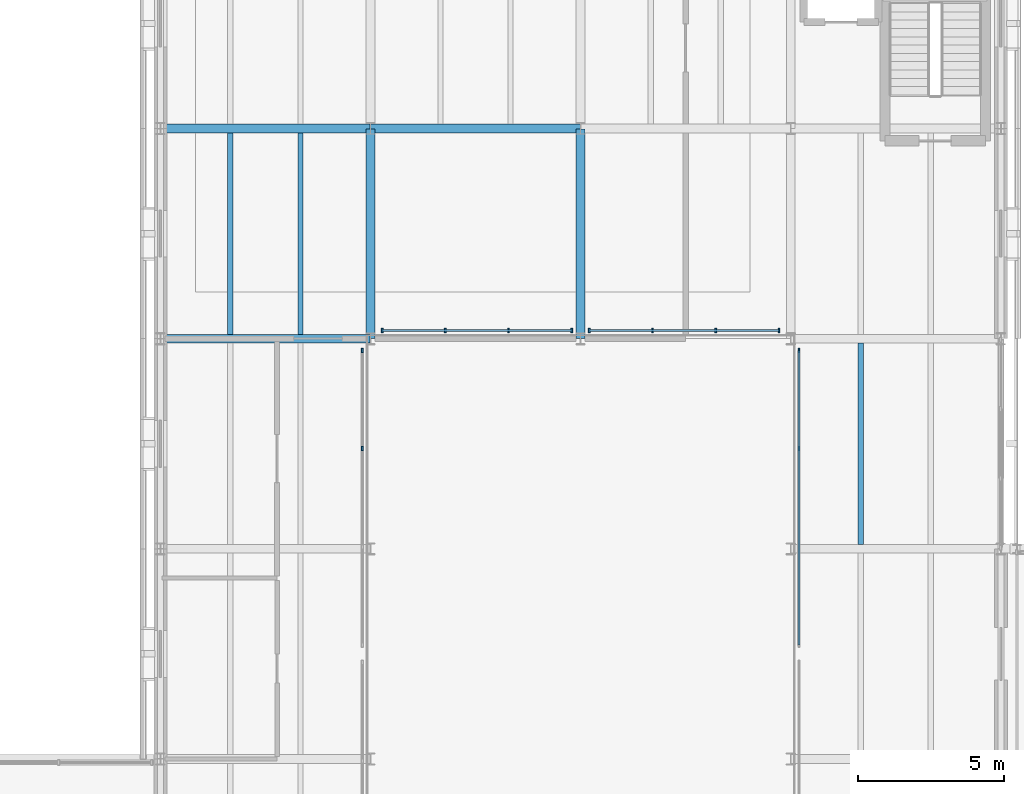
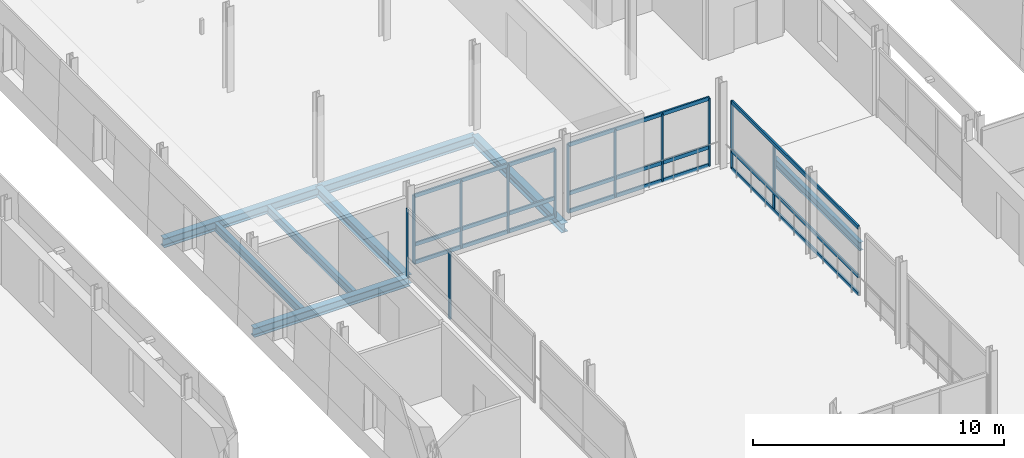
# One storey, part 25 of 115: 21 members, 8 beams, 4 elements without a shape of their own.
"""IFC4 building model written with IfcOpenShell, lengths in metres."""

from ifc_helpers import new_model, si_unit, direction, frame, origin, origin_2d, place, context, subcontext, project, spatial, rectangle, i_section, extrude, material, layer, layer_set, material_profile, profile_set, type_object, element, aggregate, save


model = new_model("IFC4")

# Units and contexts
model_context = context("Model", 3, precision=1e-05, world=origin(), true_north=direction((0.0, 1.0)))
body_context = subcontext(model_context, "Body", "Model", "MODEL_VIEW")
ifc_project = project(units=[si_unit("LENGTHUNIT", "METRE"), si_unit("AREAUNIT", "SQUARE_METRE"), si_unit("VOLUMEUNIT", "CUBIC_METRE"), si_unit("PLANEANGLEUNIT", "RADIAN"), si_unit("MASSUNIT", "GRAM", prefix="KILO")], contexts=[model_context])

# Site, building, storey
site_placement = place(None, origin())
site = spatial("IfcSite", under=ifc_project, at=site_placement, CompositionType="ELEMENT")
building_placement = place(site_placement, origin())
building = spatial("IfcBuilding", under=site, at=building_placement, Name="Narikvali Park Central Library", CompositionType="ELEMENT")
storey_placement = place(building_placement, frame((0.0, 0.0, 10.199951171875)))
storey = spatial("IfcBuildingStorey", under=building, at=storey_placement, Name="L02", CompositionType="ELEMENT", Elevation=10.199951171875)

# Curtain wall, members
ifc_material_1 = material(Name="Anodised Bronze Aluminium", Category="aluminium")
ifc_layer = layer(ifc_material_1, 0.219970703125, Name="Anodised Bronze Aluminium")
ifc_layer_set = layer_set([ifc_layer], Name="Anodised Bronze Aluminium")
curtain_wall_type = type_object("IfcCurtainWallType", Name="Atrium Tall Curtain Wall System", PredefinedType="NOTDEFINED", material=ifc_layer_set)
curtain_wall_1_placement = place(storey_placement, origin())
curtain_wall_1 = element("IfcCurtainWall", 1, at=curtain_wall_1_placement, inside=storey, type_object=curtain_wall_type, Name="Atrium Tall Curtain Wall System CW-INT-V4-L02-E2", PredefinedType="NOTDEFINED")
ifc_material_profile_1 = material_profile(ifc_material_1, rectangle(XDim=0.074951171875, YDim=0.179931640625, at=origin_2d()), Name="CW TRANSOM 75x180")
ifc_profile_set_1 = profile_set([ifc_material_profile_1], Name="Anodised Bronze Aluminium")
member_type_1 = type_object("IfcMemberType", Name="Curtain Wall Heavy Transom 75x180", PredefinedType="USERDEFINED", material=ifc_profile_set_1)
member_1_placement = place(storey_placement, frame((50.679931640625, 75.89990234375, 0.030029296875), z_axis=(0.0, 1.0, 0.0), x_axis=(-1.0, 0.0, 0.0)))
member_1 = element("IfcMember", 2, at=member_1_placement, type_object=member_type_1, Name="CW-INT-V4-L02-E2 Transom 00", ObjectType="TRANSOM", PredefinedType="USERDEFINED", context=body_context, shape_type="SweptSolid", body=[
    extrude(rectangle(XDim=0.074951171875, YDim=0.179931640625, at=origin_2d()), origin(), (0.0, 0.0, 1.0), 10.10009765625),
])
member_2_placement = place(storey_placement, frame((50.679931640625, 75.89990234375, 0.900146484375), z_axis=(0.0, 1.0, 0.0), x_axis=(-1.0, 0.0, 0.0)))
member_2 = element("IfcMember", 3, at=member_2_placement, type_object=member_type_1, Name="CW-INT-V4-L02-E2 Transom 01", ObjectType="TRANSOM", PredefinedType="USERDEFINED", context=body_context, shape_type="SweptSolid", body=[
    extrude(rectangle(XDim=0.074951171875, YDim=0.179931640625, at=origin_2d()), origin(), (0.0, 0.0, 1.0), 10.10009765625),
])
member_3_placement = place(storey_placement, frame((50.679931640625, 75.89990234375, 3.27001953125), z_axis=(0.0, 1.0, 0.0), x_axis=(-1.0, 0.0, 0.0)))
member_3 = element("IfcMember", 4, at=member_3_placement, type_object=member_type_1, Name="CW-INT-V4-L02-E2 Transom 02", ObjectType="TRANSOM", PredefinedType="USERDEFINED", context=body_context, shape_type="SweptSolid", body=[
    extrude(rectangle(XDim=0.074951171875, YDim=0.179931640625, at=origin_2d()), origin(), (0.0, 0.0, 1.0), 10.10009765625),
])

curtain_wall_2_placement = place(storey_placement, origin())
curtain_wall_2 = element("IfcCurtainWall", 5, at=curtain_wall_2_placement, inside=storey, type_object=curtain_wall_type, Name="Atrium Tall Curtain Wall System CW-INT-V4-L02-N1", PredefinedType="NOTDEFINED")
member_4_placement = place(storey_placement, frame((36.39990234375, 86.679931640625, 0.030029296875), z_axis=(1.0, 0.0, 0.0), x_axis=(0.0, 1.0, 0.0)))
member_4 = element("IfcMember", 6, at=member_4_placement, type_object=member_type_1, Name="CW-INT-V4-L02-N1 Transom 00", ObjectType="TRANSOM", PredefinedType="USERDEFINED", context=body_context, shape_type="SweptSolid", body=[
    extrude(rectangle(XDim=0.074951171875, YDim=0.179931640625, at=origin_2d()), origin(), (0.0, 0.0, 1.0), 6.5),
])
member_5_placement = place(storey_placement, frame((36.39990234375, 86.679931640625, 0.900146484375), z_axis=(1.0, 0.0, 0.0), x_axis=(0.0, 1.0, 0.0)))
member_5 = element("IfcMember", 7, at=member_5_placement, type_object=member_type_1, Name="CW-INT-V4-L02-N1 Transom 01", ObjectType="TRANSOM", PredefinedType="USERDEFINED", context=body_context, shape_type="SweptSolid", body=[
    extrude(rectangle(XDim=0.074951171875, YDim=0.179931640625, at=origin_2d()), origin(), (0.0, 0.0, 1.0), 6.5),
])
member_6_placement = place(storey_placement, frame((36.39990234375, 86.679931640625, 3.27001953125), z_axis=(1.0, 0.0, 0.0), x_axis=(0.0, 1.0, 0.0)))
member_6 = element("IfcMember", 8, at=member_6_placement, type_object=member_type_1, Name="CW-INT-V4-L02-N1 Transom 02", ObjectType="TRANSOM", PredefinedType="USERDEFINED", context=body_context, shape_type="SweptSolid", body=[
    extrude(rectangle(XDim=0.074951171875, YDim=0.179931640625, at=origin_2d()), origin(), (0.0, 0.0, 1.0), 6.5),
])

curtain_wall_3_placement = place(storey_placement, origin())
curtain_wall_3 = element("IfcCurtainWall", 9, at=curtain_wall_3_placement, inside=storey, type_object=curtain_wall_type, Name="Atrium Tall Curtain Wall System CW-INT-V4-L02-N2", PredefinedType="NOTDEFINED")
member_7_placement = place(storey_placement, frame((43.5, 86.679931640625, 0.030029296875), z_axis=(1.0, 0.0, 0.0), x_axis=(0.0, 1.0, 0.0)))
member_7 = element("IfcMember", 10, at=member_7_placement, type_object=member_type_1, Name="CW-INT-V4-L02-N2 Transom 00", ObjectType="TRANSOM", PredefinedType="USERDEFINED", context=body_context, shape_type="SweptSolid", body=[
    extrude(rectangle(XDim=0.074951171875, YDim=0.179931640625, at=origin_2d()), origin(), (0.0, 0.0, 1.0), 6.5),
])
member_8_placement = place(storey_placement, frame((43.5, 86.679931640625, 0.900146484375), z_axis=(1.0, 0.0, 0.0), x_axis=(0.0, 1.0, 0.0)))
member_8 = element("IfcMember", 11, at=member_8_placement, type_object=member_type_1, Name="CW-INT-V4-L02-N2 Transom 01", ObjectType="TRANSOM", PredefinedType="USERDEFINED", context=body_context, shape_type="SweptSolid", body=[
    extrude(rectangle(XDim=0.074951171875, YDim=0.179931640625, at=origin_2d()), origin(), (0.0, 0.0, 1.0), 6.5),
])
member_9_placement = place(storey_placement, frame((43.5, 86.679931640625, 3.27001953125), z_axis=(1.0, 0.0, 0.0), x_axis=(0.0, 1.0, 0.0)))
member_9 = element("IfcMember", 12, at=member_9_placement, type_object=member_type_1, Name="CW-INT-V4-L02-N2 Transom 02", ObjectType="TRANSOM", PredefinedType="USERDEFINED", context=body_context, shape_type="SweptSolid", body=[
    extrude(rectangle(XDim=0.074951171875, YDim=0.179931640625, at=origin_2d()), origin(), (0.0, 0.0, 1.0), 6.5),
])

curtain_wall_4_placement = place(storey_placement, origin())
curtain_wall_4 = element("IfcCurtainWall", 13, at=curtain_wall_4_placement, inside=storey, type_object=curtain_wall_type, Name="Atrium Tall Curtain Wall System CW-INT-V4-L02-W2", PredefinedType="NOTDEFINED")
ifc_material_profile_2 = material_profile(ifc_material_1, rectangle(XDim=0.06005859375, YDim=0.14990234375, at=origin_2d()), Name="CW MULLION 60x150")
ifc_profile_set_2 = profile_set([ifc_material_profile_2], Name="Anodised Bronze Aluminium")
member_type_2 = type_object("IfcMemberType", Name="Curtain Wall Mullion 60x150", PredefinedType="MULLION", material=ifc_profile_set_2)
member_10_placement = place(storey_placement, frame((35.719970703125, 82.63330078125, -0.010009765625), z_axis=(0.0, 0.0, 1.0), x_axis=(1.0, 0.0, 0.0)))
member_10 = element("IfcMember", 14, at=member_10_placement, type_object=member_type_2, Name="CW-INT-V4-L02-W2 Mullion 02", PredefinedType="MULLION", context=body_context, shape_type="SweptSolid", body=[
    extrude(rectangle(XDim=0.06005859375, YDim=0.14990234375, at=origin_2d()), origin(), (0.0, 0.0, 1.0), 3.31005859375),
])
member_11_placement = place(storey_placement, frame((35.719970703125, 86.0, -0.010009765625), z_axis=(0.0, 0.0, 1.0), x_axis=(1.0, 0.0, 0.0)))
member_11 = element("IfcMember", 15, at=member_11_placement, type_object=member_type_2, Name="CW-INT-V4-L02-W2 Mullion 03", PredefinedType="MULLION", context=body_context, shape_type="SweptSolid", body=[
    extrude(rectangle(XDim=0.06005859375, YDim=0.14990234375, at=origin_2d()), origin(), (0.0, 0.0, 1.0), 3.31005859375),
])
aggregate(curtain_wall_4, [member_10, member_11])

# Member
member_12_placement = place(storey_placement, frame((50.679931640625, 82.63330078125, -0.010009765625), z_axis=(0.0, 0.0, 1.0), x_axis=(1.0, 0.0, 0.0)))
member_12 = element("IfcMember", 16, at=member_12_placement, type_object=member_type_2, Name="CW-INT-V4-L02-E2 Mullion 02", PredefinedType="MULLION", context=body_context, shape_type="SweptSolid", body=[
    extrude(rectangle(XDim=0.06005859375, YDim=0.14990234375, at=origin_2d()), origin(), (0.0, 0.0, 1.0), 3.31005859375),
])

member_13_placement = place(storey_placement, frame((50.679931640625, 86.0, -0.010009765625), z_axis=(0.0, 0.0, 1.0), x_axis=(1.0, 0.0, 0.0)))
member_13 = element("IfcMember", 17, at=member_13_placement, type_object=member_type_2, Name="CW-INT-V4-L02-E2 Mullion 03", PredefinedType="MULLION", context=body_context, shape_type="SweptSolid", body=[
    extrude(rectangle(XDim=0.06005859375, YDim=0.14990234375, at=origin_2d()), origin(), (0.0, 0.0, 1.0), 3.31005859375),
])

aggregate(curtain_wall_1, [member_12, member_13, member_1, member_2, member_3])

member_14_placement = place(storey_placement, frame((36.39990234375, 86.679931640625, -0.010009765625), z_axis=(0.0, 0.0, 1.0), x_axis=(1.0, 0.0, 0.0)))
member_14 = element("IfcMember", 18, at=member_14_placement, type_object=member_type_2, Name="CW-INT-V4-L02-N1 Mullion 00", PredefinedType="MULLION", context=body_context, shape_type="SweptSolid", body=[
    extrude(rectangle(XDim=0.06005859375, YDim=0.14990234375, at=origin_2d()), origin(), (0.0, 0.0, 1.0), 3.31005859375),
])

member_15_placement = place(storey_placement, frame((38.566650390625, 86.679931640625, -0.010009765625), z_axis=(0.0, 0.0, 1.0), x_axis=(1.0, 0.0, 0.0)))
member_15 = element("IfcMember", 19, at=member_15_placement, type_object=member_type_2, Name="CW-INT-V4-L02-N1 Mullion 01", PredefinedType="MULLION", context=body_context, shape_type="SweptSolid", body=[
    extrude(rectangle(XDim=0.06005859375, YDim=0.14990234375, at=origin_2d()), origin(), (0.0, 0.0, 1.0), 3.31005859375),
])

member_16_placement = place(storey_placement, frame((40.7333984375, 86.679931640625, -0.010009765625), z_axis=(0.0, 0.0, 1.0), x_axis=(1.0, 0.0, 0.0)))
member_16 = element("IfcMember", 20, at=member_16_placement, type_object=member_type_2, Name="CW-INT-V4-L02-N1 Mullion 02", PredefinedType="MULLION", context=body_context, shape_type="SweptSolid", body=[
    extrude(rectangle(XDim=0.06005859375, YDim=0.14990234375, at=origin_2d()), origin(), (0.0, 0.0, 1.0), 3.31005859375),
])

member_17_placement = place(storey_placement, frame((42.89990234375, 86.679931640625, -0.010009765625), z_axis=(0.0, 0.0, 1.0), x_axis=(1.0, 0.0, 0.0)))
member_17 = element("IfcMember", 21, at=member_17_placement, type_object=member_type_2, Name="CW-INT-V4-L02-N1 Mullion 03", PredefinedType="MULLION", context=body_context, shape_type="SweptSolid", body=[
    extrude(rectangle(XDim=0.06005859375, YDim=0.14990234375, at=origin_2d()), origin(), (0.0, 0.0, 1.0), 3.31005859375),
])

aggregate(curtain_wall_2, [member_14, member_15, member_16, member_17, member_4, member_5, member_6])

member_18_placement = place(storey_placement, frame((43.5, 86.679931640625, -0.010009765625), z_axis=(0.0, 0.0, 1.0), x_axis=(1.0, 0.0, 0.0)))
member_18 = element("IfcMember", 22, at=member_18_placement, type_object=member_type_2, Name="CW-INT-V4-L02-N2 Mullion 00", PredefinedType="MULLION", context=body_context, shape_type="SweptSolid", body=[
    extrude(rectangle(XDim=0.06005859375, YDim=0.14990234375, at=origin_2d()), origin(), (0.0, 0.0, 1.0), 3.31005859375),
])

member_19_placement = place(storey_placement, frame((45.666748046875, 86.679931640625, -0.010009765625), z_axis=(0.0, 0.0, 1.0), x_axis=(1.0, 0.0, 0.0)))
member_19 = element("IfcMember", 23, at=member_19_placement, type_object=member_type_2, Name="CW-INT-V4-L02-N2 Mullion 01", PredefinedType="MULLION", context=body_context, shape_type="SweptSolid", body=[
    extrude(rectangle(XDim=0.06005859375, YDim=0.14990234375, at=origin_2d()), origin(), (0.0, 0.0, 1.0), 3.31005859375),
])

member_20_placement = place(storey_placement, frame((47.833251953125, 86.679931640625, -0.010009765625), z_axis=(0.0, 0.0, 1.0), x_axis=(1.0, 0.0, 0.0)))
member_20 = element("IfcMember", 24, at=member_20_placement, type_object=member_type_2, Name="CW-INT-V4-L02-N2 Mullion 02", PredefinedType="MULLION", context=body_context, shape_type="SweptSolid", body=[
    extrude(rectangle(XDim=0.06005859375, YDim=0.14990234375, at=origin_2d()), origin(), (0.0, 0.0, 1.0), 3.31005859375),
])

member_21_placement = place(storey_placement, frame((50.0, 86.679931640625, -0.010009765625), z_axis=(0.0, 0.0, 1.0), x_axis=(1.0, 0.0, 0.0)))
member_21 = element("IfcMember", 25, at=member_21_placement, type_object=member_type_2, Name="CW-INT-V4-L02-N2 Mullion 03", PredefinedType="MULLION", context=body_context, shape_type="SweptSolid", body=[
    extrude(rectangle(XDim=0.06005859375, YDim=0.14990234375, at=origin_2d()), origin(), (0.0, 0.0, 1.0), 3.31005859375),
])

aggregate(curtain_wall_3, [member_18, member_19, member_20, member_21, member_7, member_8, member_9])

# Beams
ifc_material_2 = material(Name="Steel S355", Category="steel")
ifc_material_profile_3 = material_profile(ifc_material_2, i_section(OverallWidth=0.181884765625, OverallDepth=0.404052734375, WebThickness=0.009765625, FlangeThickness=0.015380859375, FilletRadius=0.02099609375, at=origin_2d()), Name="IPEO 400")
ifc_profile_set_3 = profile_set([ifc_material_profile_3], Name="Steel S355")
beam_type_1 = type_object("IfcBeamType", Name="Gallery Floor Joist IPEO400", PredefinedType="JOIST", material=ifc_profile_set_3)
for number, where, z_axis, x_axis, name in (
    (26, (31.199951171875, 86.550048828125, -0.48193359375), (0.0, 1.0, 0.0), (-1.0, 0.0, 0.0), "V4 L02 Composite Joist 1"),
    (27, (33.60009765625, 86.550048828125, -0.48193359375), (0.0, 1.0, 0.0), (-1.0, 0.0, 0.0), "V4 L02 Composite Joist 2"),
    (28, (52.800048828125, 79.35009765625, -0.48193359375), (0.0, 1.0, 0.0), (-1.0, 0.0, 0.0), "V4 L02 Composite Joist 1"),
):
    element("IfcBeam", number, at=place(storey_placement, frame(where, z_axis=z_axis, x_axis=x_axis)), inside=storey, type_object=beam_type_1, Name=name, PredefinedType="JOIST", context=body_context, shape_type="SweptSolid", body=[
        extrude(i_section(OverallWidth=0.181884765625, OverallDepth=0.404052734375, WebThickness=0.009765625, FlangeThickness=0.015380859375, FilletRadius=0.02099609375, at=origin_2d()), origin(), (0.0, 0.0, 1.0), 6.89990234375),
    ])
ifc_material_profile_4 = material_profile(ifc_material_2, i_section(OverallWidth=0.300048828125, OverallDepth=0.43994140625, WebThickness=0.011474609375, FlangeThickness=0.02099609375, FilletRadius=0.027099609375, at=origin_2d()), Name="HEA 450")
ifc_profile_set_4 = profile_set([ifc_material_profile_4], Name="Steel S355")
beam_type_2 = type_object("IfcBeamType", Name="Primary Girder HEA450", PredefinedType="BEAM", material=ifc_profile_set_4)
for number, where, z_axis, x_axis, name in (
    (29, (28.80810546875, 86.39990234375, -0.5), (1.0, 0.0, 0.0), (0.0, 1.0, 0.0), "V4 L02 Girder X"),
    (30, (28.80810546875, 93.60009765625, -0.5), (1.0, 0.0, 0.0), (0.0, 1.0, 0.0), "V4 L02 Girder X"),
    (31, (36.008056640625, 93.60009765625, -0.5), (1.0, 0.0, 0.0), (0.0, 1.0, 0.0), "V4 L02 Girder X"),
):
    element("IfcBeam", number, at=place(storey_placement, frame(where, z_axis=z_axis, x_axis=x_axis)), inside=storey, type_object=beam_type_2, Name=name, PredefinedType="BEAM", context=body_context, shape_type="SweptSolid", body=[
        extrude(i_section(OverallWidth=0.300048828125, OverallDepth=0.43994140625, WebThickness=0.011474609375, FlangeThickness=0.02099609375, FilletRadius=0.027099609375, at=origin_2d()), origin(), (0.0, 0.0, 1.0), 7.183837890625),
    ])
for number, where, z_axis, x_axis, name in (
    (32, (36.0, 86.407958984375, -0.5), (0.0, 1.0, 0.0), (-1.0, 0.0, 0.0), "V4 L02 Girder Y"),
    (33, (43.199951171875, 86.407958984375, -0.5), (0.0, 1.0, 0.0), (-1.0, 0.0, 0.0), "V4 L02 Girder Y"),
):
    element("IfcBeam", number, at=place(storey_placement, frame(where, z_axis=z_axis, x_axis=x_axis)), inside=storey, type_object=beam_type_2, Name=name, PredefinedType="BEAM", context=body_context, shape_type="SweptSolid", body=[
        extrude(i_section(OverallWidth=0.300048828125, OverallDepth=0.43994140625, WebThickness=0.011474609375, FlangeThickness=0.02099609375, FilletRadius=0.027099609375, at=origin_2d()), origin(), (0.0, 0.0, 1.0), 7.18408203125),
    ])

save(model, "model.ifc")
